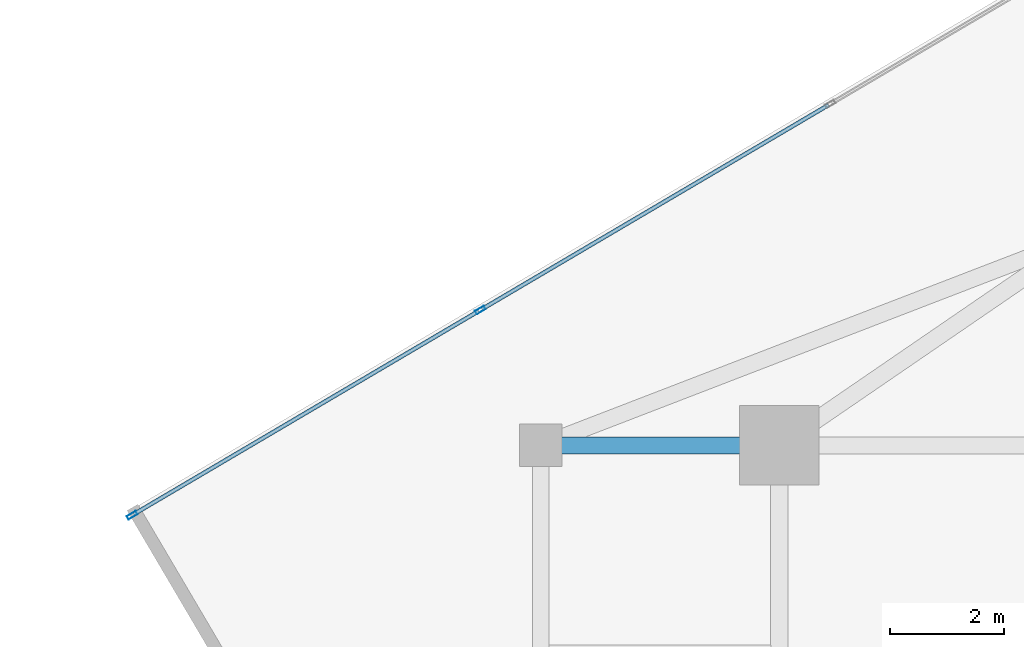
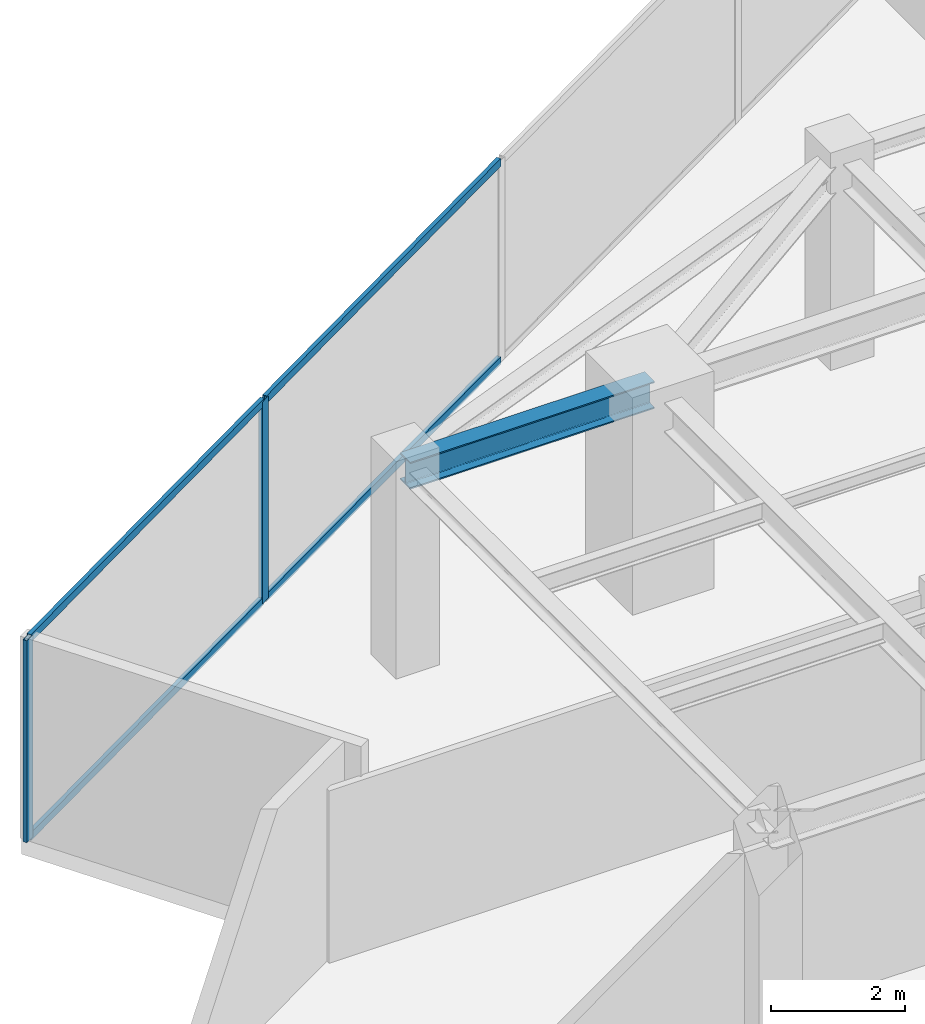
# One storey, part 11 of 20: 6 members, 1 beam, 1 element without a shape of its own.
"""IFC4 building model written with IfcOpenShell, lengths in metres."""

from ifc_helpers import new_model, si_unit, direction, frame, origin, origin_2d, place, context, subcontext, project, spatial, hollow_rectangle, i_section, extrude, source, transform, mapped, material, material_profile, profile_set, type_object, type_shapes, element, aggregate, save


model = new_model("IFC4")

# Units and contexts
model_context = context("Model", 3, precision=1e-05, world=origin(), true_north=direction((0.0, 1.0)))
body_context = subcontext(model_context, "Body", "Model", "MODEL_VIEW")
ifc_project = project(units=[si_unit("LENGTHUNIT", "METRE"), si_unit("AREAUNIT", "SQUARE_METRE"), si_unit("VOLUMEUNIT", "CUBIC_METRE"), si_unit("PLANEANGLEUNIT", "RADIAN"), si_unit("MASSUNIT", "GRAM", prefix="KILO")], contexts=[model_context])

# Site, building, storey
site_placement = place(None, origin())
site = spatial("IfcSite", under=ifc_project, at=site_placement, CompositionType="ELEMENT")
building_placement = place(site_placement, origin())
building = spatial("IfcBuilding", under=site, at=building_placement, Name="Krantzveldt Concourse Tower", CompositionType="ELEMENT")
storey_placement = place(building_placement, frame((0.0, 0.0, 299.0)))
storey = spatial("IfcBuildingStorey", under=building, at=storey_placement, Name="L73", CompositionType="ELEMENT", Elevation=299.0)

# Beam
ifc_material_1 = material(Name="Steel S355JR", Category="steel")
ifc_material_profile_1 = material_profile(ifc_material_1, i_section(OverallWidth=0.300048828125, OverallDepth=0.489990234375, WebThickness=0.011962890625, FlangeThickness=0.02294921875, FilletRadius=0.027099609375, at=origin_2d()), Name="Steel S355JR", Category="steel")
ifc_profile_set_1 = profile_set([ifc_material_profile_1], Name="Steel S355JR - HEA 500")
beam_type = type_object("IfcBeamType", Name="BM-B-HEA500", PredefinedType="BEAM", material=ifc_profile_set_1)
shared_shape_1 = source(origin(), body_context, "Body", "SweptSolid", [
    extrude(i_section(OverallWidth=0.300048828125, OverallDepth=0.489990234375, WebThickness=0.011962890625, FlangeThickness=0.02294921875, FilletRadius=0.027099609375, at=origin_2d()), origin(), (0.0, 0.0, 1.0), 4.199951171875),
])
type_shapes(beam_type, [shared_shape_1])
beam_placement = place(storey_placement, frame((21.0, 37.5, 3.425048828125), z_axis=(1.0, 0.0, 0.0), x_axis=(0.0, 1.0, 0.0)))
element("IfcBeam", 1, at=beam_placement, inside=storey, type_object=beam_type, Name="L73 Tower Girder BR-RL3", PredefinedType="BEAM", context=body_context, shape_type="MappedRepresentation", body=[
    mapped(shared_shape_1, transform((0.0, 0.0, 0.0), x_axis=(1.0, 0.0, 0.0), y_axis=(0.0, 1.0, 0.0), z_axis=(0.0, 0.0, 1.0), scale=1.0)),
])

# Curtain wall, members
ifc_material_2 = material(Name="Anodised aluminium 6063-T6", Category="aluminium")
curtain_wall_type = type_object("IfcCurtainWallType", Name="CW4", PredefinedType="USERDEFINED", material=ifc_material_2)
curtain_wall_placement = place(storey_placement, origin())
curtain_wall = element("IfcCurtainWall", 2, at=curtain_wall_placement, inside=storey, type_object=curtain_wall_type, Name="CW-L73-F01", ObjectType="UNITISED CURTAIN WALL", PredefinedType="USERDEFINED")
ifc_material_profile_2 = material_profile(ifc_material_2, hollow_rectangle(XDim=0.070068359375, YDim=0.179931640625, WallThickness=0.0048828125, at=origin_2d()), Name="Anodised aluminium 6063-T6", Category="aluminium")
ifc_profile_set_2 = profile_set([ifc_material_profile_2], Name="Anodised aluminium 6063-T6 - ALU-MULL 180x70x5")
member_type_1 = type_object("IfcMemberType", Name="CW-MUL-180", PredefinedType="MULLION", material=ifc_profile_set_2)
shared_shape_2 = source(origin(), body_context, "Body", "SweptSolid", [
    extrude(hollow_rectangle(XDim=0.070068359375, YDim=0.179931640625, WallThickness=0.0048828125, at=origin_2d()), origin(), (0.0, 0.0, 1.0), 3.669921875),
])
type_shapes(member_type_1, [shared_shape_2])
member_1_placement = place(storey_placement, frame((19.937255859375, 39.881591796875, 0.0), z_axis=(0.0, 0.0, 1.0), x_axis=(0.507538344223, -0.861629171479, 0.0)))
member_1 = element("IfcMember", 3, at=member_1_placement, type_object=member_type_1, Name="CW-Z56 mullion 4", PredefinedType="MULLION", context=body_context, shape_type="MappedRepresentation", body=[
    mapped(shared_shape_2, transform((0.0, 0.0, 0.0), x_axis=(1.0, 0.0, 0.0), y_axis=(0.0, 1.0, 0.0), z_axis=(0.0, 0.0, 1.0), scale=1.0)),
])
member_2_placement = place(storey_placement, frame((13.806884765625, 36.270263671875, 0.0), z_axis=(0.0, 0.0, 1.0), x_axis=(0.507538344223, -0.861629171479, 0.0)))
member_2 = element("IfcMember", 4, at=member_2_placement, type_object=member_type_1, Name="CW-Z56 mullion 5", PredefinedType="MULLION", context=body_context, shape_type="MappedRepresentation", body=[
    mapped(shared_shape_2, transform((0.0, 0.0, 0.0), x_axis=(1.0, 0.0, 0.0), y_axis=(0.0, 1.0, 0.0), z_axis=(0.0, 0.0, 1.0), scale=1.0)),
])
ifc_material_profile_3 = material_profile(ifc_material_2, hollow_rectangle(XDim=0.070068359375, YDim=0.139892578125, WallThickness=0.0048828125, at=origin_2d()), Name="Anodised aluminium 6063-T6", Category="aluminium")
ifc_profile_set_3 = profile_set([ifc_material_profile_3], Name="Anodised aluminium 6063-T6 - ALU-TRAN 140x70x5")
member_type_2 = type_object("IfcMemberType", Name="CW-TRN-150", PredefinedType="USERDEFINED", material=ifc_profile_set_3)
shared_shape_3 = source(origin(), body_context, "Body", "SweptSolid", [
    extrude(hollow_rectangle(XDim=0.070068359375, YDim=0.139892578125, WallThickness=0.0048828125, at=origin_2d()), origin(), (0.0, 0.0, 1.0), 7.080078125),
])
member_3_placement = place(storey_placement, frame((26.06787109375, 43.49267578125, 0.034912109375), z_axis=(-0.861621135321, -0.507551986665, 0.0), x_axis=(0.507551986665, -0.861621135321, 0.0)))
member_3 = element("IfcMember", 5, at=member_3_placement, type_object=member_type_2, Name="CW-Z56 transom 3.1", ObjectType="TRANSOM", PredefinedType="USERDEFINED", context=body_context, shape_type="MappedRepresentation", body=[
    mapped(shared_shape_3, transform((0.0, 0.0, 0.0), x_axis=(1.0, 0.0, 0.0), y_axis=(0.0, 1.0, 0.0), z_axis=(0.0, 0.0, 1.0), scale=1.0)),
])
member_4_placement = place(storey_placement, frame((26.06787109375, 43.49267578125, 3.635009765625), z_axis=(-0.861621135321, -0.507551986665, 0.0), x_axis=(0.507551986665, -0.861621135321, 0.0)))
member_4 = element("IfcMember", 6, at=member_4_placement, type_object=member_type_2, Name="CW-Z56 transom 3.2", ObjectType="TRANSOM", PredefinedType="USERDEFINED", context=body_context, shape_type="MappedRepresentation", body=[
    mapped(shared_shape_3, transform((0.0, 0.0, 0.0), x_axis=(1.0, 0.0, 0.0), y_axis=(0.0, 1.0, 0.0), z_axis=(0.0, 0.0, 1.0), scale=1.0)),
])
shared_shape_4 = source(origin(), body_context, "Body", "SweptSolid", [
    extrude(hollow_rectangle(XDim=0.070068359375, YDim=0.139892578125, WallThickness=0.0048828125, at=origin_2d()), origin(), (0.0, 0.0, 1.0), 7.045166015625),
])
type_shapes(member_type_2, [shared_shape_3, shared_shape_4])
member_5_placement = place(storey_placement, frame((19.9072265625, 39.86376953125, 0.034912109375), z_axis=(-0.861629392126, -0.507537969638, 0.0), x_axis=(0.507537969638, -0.861629392126, 0.0)))
member_5 = element("IfcMember", 7, at=member_5_placement, type_object=member_type_2, Name="CW-Z56 transom 4.1", ObjectType="TRANSOM", PredefinedType="USERDEFINED", context=body_context, shape_type="MappedRepresentation", body=[
    mapped(shared_shape_4, transform((0.0, 0.0, 0.0), x_axis=(1.0, 0.0, 0.0), y_axis=(0.0, 1.0, 0.0), z_axis=(0.0, 0.0, 1.0), scale=1.0)),
])
member_6_placement = place(storey_placement, frame((19.9072265625, 39.86376953125, 3.635009765625), z_axis=(-0.861629392126, -0.507537969638, 0.0), x_axis=(0.507537969638, -0.861629392126, 0.0)))
member_6 = element("IfcMember", 8, at=member_6_placement, type_object=member_type_2, Name="CW-Z56 transom 4.2", ObjectType="TRANSOM", PredefinedType="USERDEFINED", context=body_context, shape_type="MappedRepresentation", body=[
    mapped(shared_shape_4, transform((0.0, 0.0, 0.0), x_axis=(1.0, 0.0, 0.0), y_axis=(0.0, 1.0, 0.0), z_axis=(0.0, 0.0, 1.0), scale=1.0)),
])
aggregate(curtain_wall, [member_1, member_2, member_3, member_4, member_5, member_6])

save(model, "model.ifc")
